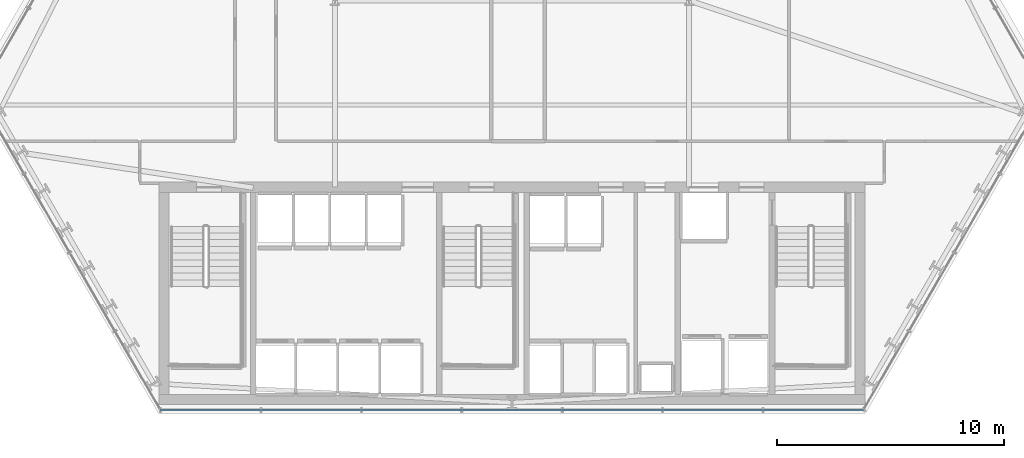
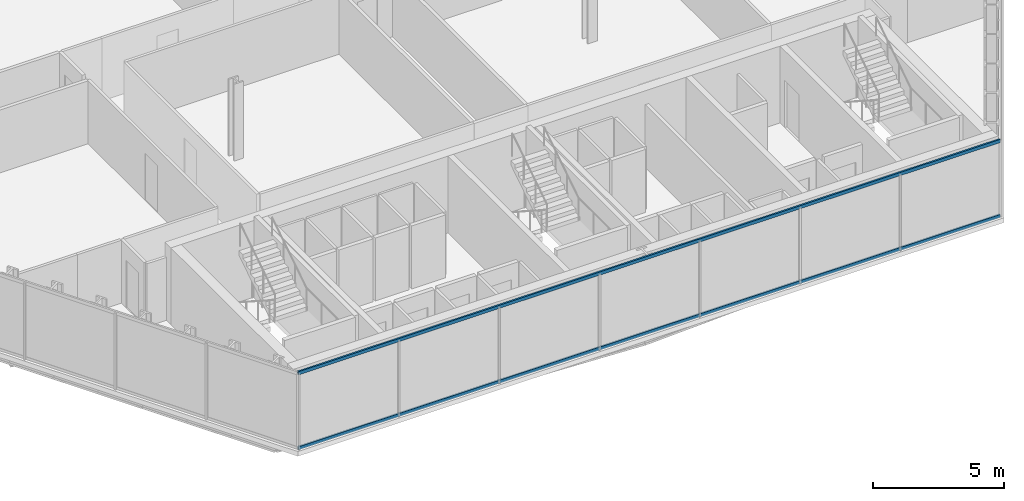
# One storey, part 7 of 32: 2 members, 1 element without a shape of its own.
"""IFC4 building model written with IfcOpenShell, lengths in metres."""

from ifc_helpers import new_model, si_unit, direction, frame, origin, origin_2d, place, context, subcontext, project, spatial, hollow_rectangle, extrude, material, layer, layer_set, material_profile, profile_set, type_object, element, aggregate, save


model = new_model("IFC4")

# Units and contexts
model_context = context("Model", 3, precision=1e-05, world=origin(), true_north=direction((0.0, 1.0)))
body_context = subcontext(model_context, "Body", "Model", "MODEL_VIEW")
ifc_project = project(units=[si_unit("LENGTHUNIT", "METRE"), si_unit("AREAUNIT", "SQUARE_METRE"), si_unit("VOLUMEUNIT", "CUBIC_METRE"), si_unit("PLANEANGLEUNIT", "RADIAN"), si_unit("MASSUNIT", "GRAM", prefix="KILO")], contexts=[model_context])

# Site, building, storey
site_placement = place(None, origin())
site = spatial("IfcSite", under=ifc_project, at=site_placement, CompositionType="ELEMENT")
building_placement = place(site_placement, origin())
building = spatial("IfcBuilding", under=site, at=building_placement, Name="Ndaravel Arena Tower", CompositionType="ELEMENT")
storey_placement = place(building_placement, frame((0.0, 0.0, 47.39990234375)))
storey = spatial("IfcBuildingStorey", under=building, at=storey_placement, Name="L09", CompositionType="ELEMENT", Elevation=47.39990234375)

# Curtain wall, members
ifc_material_1 = material(Name="Aluminium", Category="aluminium")
ifc_layer = layer(ifc_material_1, 0.179931640625)
ifc_layer_set = layer_set([ifc_layer], Name="Aluminium")
curtain_wall_type = type_object("IfcCurtainWallType", Name="CW-SYS-03", PredefinedType="NOTDEFINED", material=ifc_layer_set)
curtain_wall_placement = place(storey_placement, origin())
curtain_wall = element("IfcCurtainWall", 1, at=curtain_wall_placement, inside=storey, type_object=curtain_wall_type, Name="L09 Faceted Crystal Curtain Wall CW-L09-E01", PredefinedType="NOTDEFINED")
ifc_material_2 = material(Name="Aluminium", Category="aluminium")
ifc_material_profile = material_profile(ifc_material_2, hollow_rectangle(XDim=0.074951171875, YDim=0.14990234375, WallThickness=0.00390625, at=origin_2d()), Name="CW TRANSOM 75x150x4")
ifc_profile_set = profile_set([ifc_material_profile], Name="Aluminium")
member_type = type_object("IfcMemberType", Name="MEM-CW-TRN150", PredefinedType="USERDEFINED", material=ifc_profile_set)
member_1_placement = place(storey_placement, frame((26.52001953125, 5.159912109375, 0.0400390625), z_axis=(1.0, 0.0, 0.0), x_axis=(0.0, 1.0, 0.0)))
member_1 = element("IfcMember", 2, at=member_1_placement, type_object=member_type, Name="CW-L09-E01 Transom 01", ObjectType="TRANSOM", PredefinedType="USERDEFINED", context=body_context, shape_type="SweptSolid", body=[
    extrude(hollow_rectangle(XDim=0.074951171875, YDim=0.14990234375, WallThickness=0.00390625, at=origin_2d()), origin(), (0.0, 0.0, 1.0), 30.9599609375),
])
member_2_placement = place(storey_placement, frame((26.52001953125, 5.159912109375, 3.5400390625), z_axis=(1.0, 0.0, 0.0), x_axis=(0.0, 1.0, 0.0)))
member_2 = element("IfcMember", 3, at=member_2_placement, type_object=member_type, Name="CW-L09-E01 Transom 02", ObjectType="TRANSOM", PredefinedType="USERDEFINED", context=body_context, shape_type="SweptSolid", body=[
    extrude(hollow_rectangle(XDim=0.074951171875, YDim=0.14990234375, WallThickness=0.00390625, at=origin_2d()), origin(), (0.0, 0.0, 1.0), 30.9599609375),
])
aggregate(curtain_wall, [member_1, member_2])

save(model, "model.ifc")
